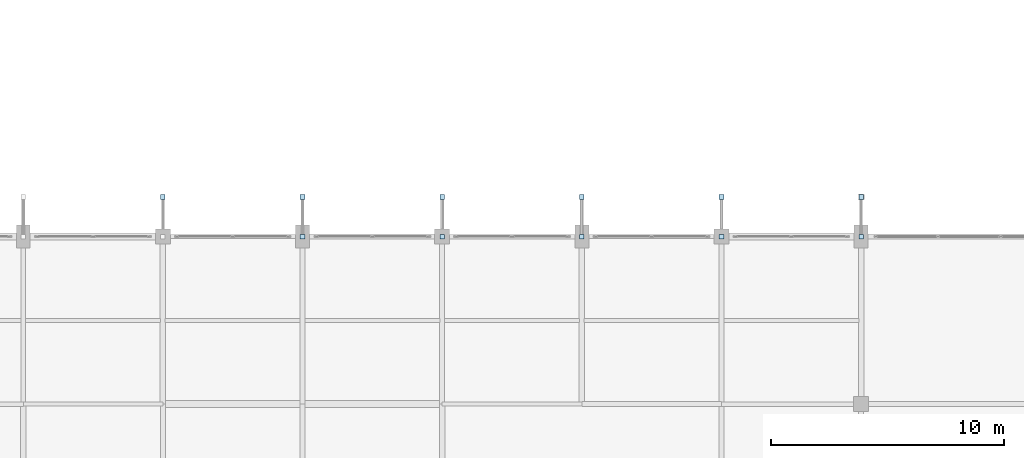
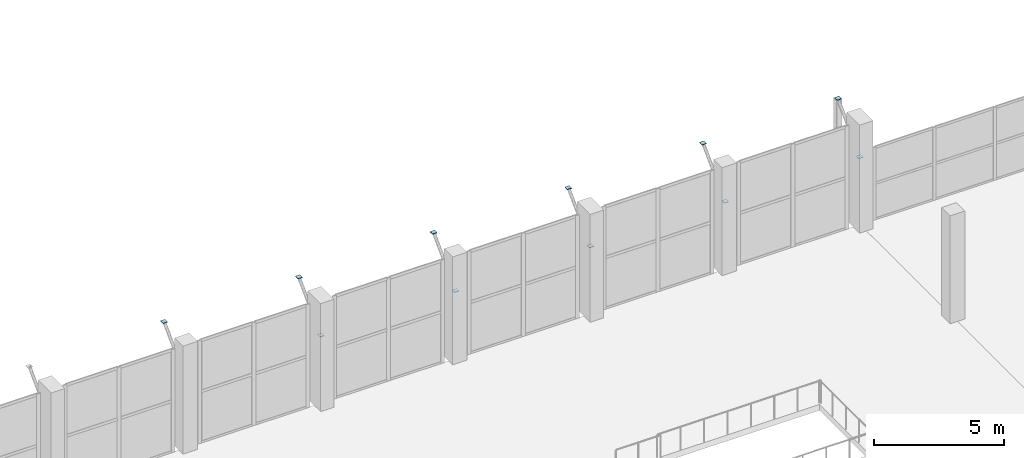
# One storey, part 103 of 127: 11 plates.
"""IFC4 building model written with IfcOpenShell, lengths in metres."""

from ifc_helpers import new_model, si_unit, direction, frame, origin, origin_2d, place, context, subcontext, project, spatial, rectangle, extrude, material, layer, layer_set, type_object, element, save


model = new_model("IFC4")

# Units and contexts
model_context = context("Model", 3, precision=1e-05, world=origin(), true_north=direction((0.0, 1.0)))
body_context = subcontext(model_context, "Body", "Model", "MODEL_VIEW")
ifc_project = project(units=[si_unit("LENGTHUNIT", "METRE"), si_unit("AREAUNIT", "SQUARE_METRE"), si_unit("VOLUMEUNIT", "CUBIC_METRE"), si_unit("PLANEANGLEUNIT", "RADIAN"), si_unit("MASSUNIT", "GRAM", prefix="KILO")], contexts=[model_context])

# Site, building, storey
site_placement = place(None, origin())
site = spatial("IfcSite", under=ifc_project, at=site_placement, CompositionType="ELEMENT")
building_placement = place(site_placement, origin())
building = spatial("IfcBuilding", under=site, at=building_placement, Name="Dunvalen Ferry Terminal", CompositionType="ELEMENT")
storey_placement = place(building_placement, frame((0.0, 0.0, 5.760009765625)))
storey = spatial("IfcBuildingStorey", under=building, at=storey_placement, Name="L01", CompositionType="ELEMENT", Elevation=5.760009765625)

# Plates
ifc_material = material(Name="Steel S355", Category="steel")
ifc_layer_1 = layer(ifc_material, 0.02001953125, Name="Steel S355")
ifc_layer_set_1 = layer_set([ifc_layer_1], Name="Steel S355")
plate_type_1 = type_object("IfcPlateType", Name="STR-PL-GUSSET-01", PredefinedType="USERDEFINED", material=ifc_layer_set_1)
for number, where, z_axis, x_axis, name in (
    (1, (72.0, 86.39990234375, 3.179931640625), (0.0, 0.0, 1.0), (1.0, 0.0, 0.0), "L01 Brace-Strut End Cleat Plate 131"),
    (2, (78.0, 86.39990234375, 3.179931640625), (0.0, 0.0, 1.0), (1.0, 0.0, 0.0), "L01 Brace-Strut End Cleat Plate 135"),
    (3, (84.0, 86.39990234375, 3.179931640625), (0.0, 0.0, 1.0), (1.0, 0.0, 0.0), "L01 Brace-Strut End Cleat Plate 139"),
    (4, (90.0, 86.39990234375, 3.179931640625), (0.0, 0.0, 1.0), (1.0, 0.0, 0.0), "L01 Brace-Strut End Cleat Plate 143"),
    (5, (96.0, 86.39990234375, 3.179931640625), (0.0, 0.0, 1.0), (1.0, 0.0, 0.0), "L01 Brace-Strut End Cleat Plate 147"),
):
    element("IfcPlate", number, at=place(storey_placement, frame(where, z_axis=z_axis, x_axis=x_axis)), inside=storey, type_object=plate_type_1, Name=name, ObjectType="GUSSET PLATE", PredefinedType="USERDEFINED", context=body_context, shape_type="SweptSolid", body=[
        extrude(rectangle(XDim=0.199951171875, YDim=0.199951171875, at=origin_2d()), origin(), (0.0, 0.0, 1.0), 0.02001953125),
    ])
ifc_layer_2 = layer(ifc_material, 0.02587890625, Name="Steel S355")
ifc_layer_set_2 = layer_set([ifc_layer_2], Name="Steel S355")
plate_type_2 = type_object("IfcPlateType", Name="STR-PL-GUSSET-02", PredefinedType="USERDEFINED", material=ifc_layer_set_2)
for number, where, z_axis, x_axis, name in (
    (6, (66.0, 88.10009765625, 4.886962890625), (0.0, 0.0, 1.0), (1.0, 0.0, 0.0), "L01 Brace-Strut End Cleat Plate 128"),
    (7, (72.0, 88.10009765625, 4.886962890625), (0.0, 0.0, 1.0), (1.0, 0.0, 0.0), "L01 Brace-Strut End Cleat Plate 132"),
    (8, (78.0, 88.10009765625, 4.886962890625), (0.0, 0.0, 1.0), (1.0, 0.0, 0.0), "L01 Brace-Strut End Cleat Plate 136"),
    (9, (84.0, 88.10009765625, 4.886962890625), (0.0, 0.0, 1.0), (1.0, 0.0, 0.0), "L01 Brace-Strut End Cleat Plate 140"),
    (10, (90.0, 88.10009765625, 4.886962890625), (0.0, 0.0, 1.0), (1.0, 0.0, 0.0), "L01 Brace-Strut End Cleat Plate 144"),
    (11, (96.0, 88.10009765625, 4.886962890625), (0.0, 0.0, 1.0), (1.0, 0.0, 0.0), "L01 Brace-Strut End Cleat Plate 148"),
):
    element("IfcPlate", number, at=place(storey_placement, frame(where, z_axis=z_axis, x_axis=x_axis)), inside=storey, type_object=plate_type_2, Name=name, ObjectType="GUSSET PLATE", PredefinedType="USERDEFINED", context=body_context, shape_type="SweptSolid", body=[
        extrude(rectangle(XDim=0.199951171875, YDim=0.199951171875, at=origin_2d()), origin(), (0.0, 0.0, 1.0), 0.02587890625),
    ])

save(model, "model.ifc")
